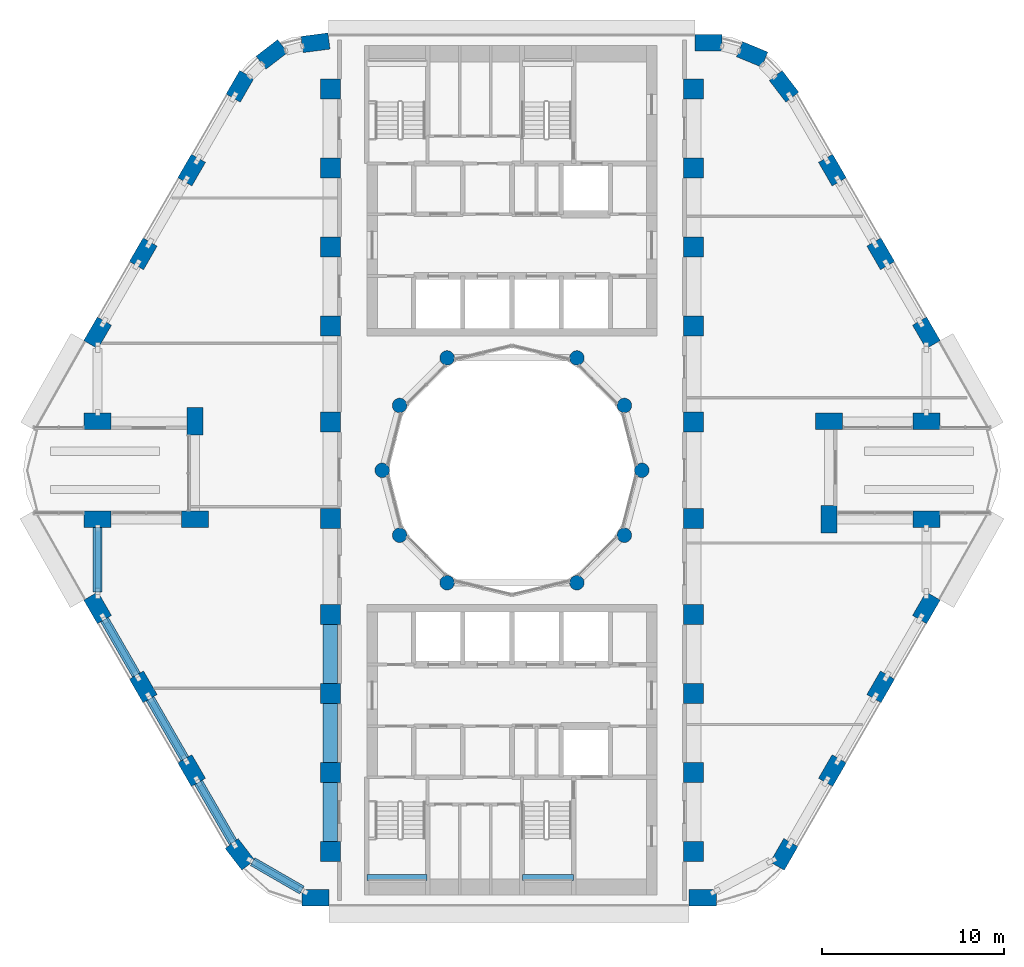
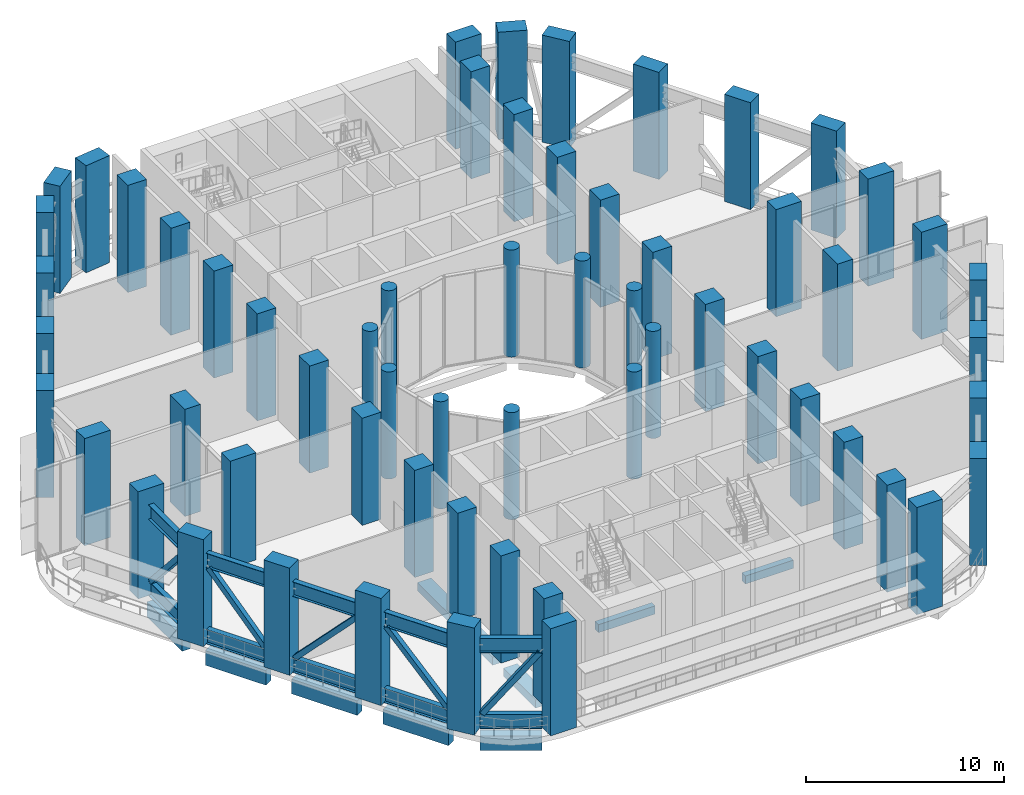
# One storey, part 1 of 20: 60 columns, 15 members, 10 beams.
"""IFC4 building model written with IfcOpenShell, lengths in metres."""

from ifc_helpers import new_model, si_unit, direction, frame, origin, origin_2d, place, context, subcontext, project, spatial, rectangle, hollow_rectangle, circle, i_section, extrude, material, material_profile, profile_set, type_object, element, save


model = new_model("IFC4")

# Units and contexts
model_context = context("Model", 3, precision=1e-05, world=origin(), true_north=direction((0.0, 1.0)))
body_context = subcontext(model_context, "Body", "Model", "MODEL_VIEW")
ifc_project = project(units=[si_unit("LENGTHUNIT", "METRE"), si_unit("AREAUNIT", "SQUARE_METRE"), si_unit("VOLUMEUNIT", "CUBIC_METRE"), si_unit("PLANEANGLEUNIT", "RADIAN"), si_unit("MASSUNIT", "GRAM", prefix="KILO")], contexts=[model_context])

# Site, building, storey
site_placement = place(None, origin())
site = spatial("IfcSite", under=ifc_project, at=site_placement, CompositionType="ELEMENT")
building_placement = place(site_placement, origin())
building = spatial("IfcBuilding", under=site, at=building_placement, Name="Nakaniwa Court", CompositionType="ELEMENT")
storey_placement = place(building_placement, frame((0.0, 0.0, 71.10009765625)))
storey = spatial("IfcBuildingStorey", under=building, at=storey_placement, Name="S1", CompositionType="ELEMENT", Elevation=71.10009765625)

# Columns
ifc_material_1 = material(Name="Concrete C80/100", Category="concrete")
ifc_material_profile_1 = material_profile(ifc_material_1, rectangle(XDim=1.10009765625, YDim=1.10009765625, at=origin_2d()), Name="Concrete C80/100 RC 1100x1100 spine column")
ifc_profile_set_1 = profile_set([ifc_material_profile_1], Name="Concrete C80/100")
column_type_1 = type_object("IfcColumnType", Name="Concrete C80/100 RC 1100x1100 spine column", PredefinedType="COLUMN", material=ifc_profile_set_1)
for number, where, z_axis, x_axis, name in (
    (1, (90.0, 59.0, 0.0), (0.0, 0.0, 1.0), (0.0, 1.0, 0.0), "COLUMN CS-01"),
    (2, (90.0, 63.35009765625, 0.0), (0.0, 0.0, 1.0), (0.0, 1.0, 0.0), "COLUMN CS-02"),
    (3, (90.0, 67.699951171875, 0.0), (0.0, 0.0, 1.0), (0.0, 1.0, 0.0), "COLUMN CS-03"),
    (4, (90.0, 72.050048828125, 0.0), (0.0, 0.0, 1.0), (0.0, 1.0, 0.0), "COLUMN CS-04"),
    (5, (90.0, 77.35009765625, 0.0), (0.0, 0.0, 1.0), (0.0, 1.0, 0.0), "COLUMN CS-05"),
    (6, (90.0, 82.64990234375, 0.0), (0.0, 0.0, 1.0), (0.0, 1.0, 0.0), "COLUMN CS-06"),
    (7, (90.0, 87.949951171875, 0.0), (0.0, 0.0, 1.0), (0.0, 1.0, 0.0), "COLUMN CS-07"),
    (8, (90.0, 92.300048828125, 0.0), (0.0, 0.0, 1.0), (0.0, 1.0, 0.0), "COLUMN CS-08"),
    (9, (90.0, 96.64990234375, 0.0), (0.0, 0.0, 1.0), (0.0, 1.0, 0.0), "COLUMN CS-09"),
    (10, (90.0, 101.0, 0.0), (0.0, 0.0, 1.0), (0.0, 1.0, 0.0), "COLUMN CS-10"),
    (11, (70.0, 101.0, 0.0), (0.0, 0.0, 1.0), (0.0, -1.0, 0.0), "COLUMN CS-11"),
    (12, (70.0, 96.64990234375, 0.0), (0.0, 0.0, 1.0), (0.0, -1.0, 0.0), "COLUMN CS-12"),
    (13, (70.0, 92.300048828125, 0.0), (0.0, 0.0, 1.0), (0.0, -1.0, 0.0), "COLUMN CS-13"),
    (14, (70.0, 87.949951171875, 0.0), (0.0, 0.0, 1.0), (0.0, -1.0, 0.0), "COLUMN CS-14"),
    (15, (70.0, 82.64990234375, 0.0), (0.0, 0.0, 1.0), (0.0, -1.0, 0.0), "COLUMN CS-15"),
    (16, (70.0, 77.35009765625, 0.0), (0.0, 0.0, 1.0), (0.0, -1.0, 0.0), "COLUMN CS-16"),
    (17, (70.0, 72.050048828125, 0.0), (0.0, 0.0, 1.0), (0.0, -1.0, 0.0), "COLUMN CS-17"),
    (18, (70.0, 67.699951171875, 0.0), (0.0, 0.0, 1.0), (0.0, -1.0, 0.0), "COLUMN CS-18"),
    (19, (70.0, 63.35009765625, 0.0), (0.0, 0.0, 1.0), (0.0, -1.0, 0.0), "COLUMN CS-19"),
    (20, (70.0, 59.0, 0.0), (0.0, 0.0, 1.0), (0.0, -1.0, 0.0), "COLUMN CS-20"),
):
    element("IfcColumn", number, at=place(storey_placement, frame(where, z_axis=z_axis, x_axis=x_axis)), inside=storey, type_object=column_type_1, Name=name, PredefinedType="COLUMN", context=body_context, shape_type="SweptSolid", body=[
        extrude(rectangle(XDim=1.10009765625, YDim=1.10009765625, at=origin_2d()), origin(), (0.0, 0.0, 1.0), 6.599853515625),
    ])
ifc_material_profile_2 = material_profile(ifc_material_1, rectangle(XDim=1.5, YDim=0.89990234375, at=origin_2d()), Name="Concrete C80/100 RC 1500x900 perimeter column")
ifc_profile_set_2 = profile_set([ifc_material_profile_2], Name="Concrete C80/100")
column_type_2 = type_object("IfcColumnType", Name="Concrete C80/100 RC 1500x900 perimeter column", PredefinedType="COLUMN", material=ifc_profile_set_2)
for number, where, z_axis, x_axis, name in (
    (21, (69.17529296875, 103.550048828125, 0.0), (0.0, 0.0, 1.0), (-0.991442583111, -0.130543496177, 0.0), "COLUMN CO-01"),
    (22, (66.772705078125, 102.91015625, 0.0), (0.0, 0.0, 1.0), (-0.793363965062, -0.608747582288, 0.0), "COLUMN CO-02"),
    (23, (65.017578125, 101.1494140625, 0.0), (0.0, 0.0, 1.0), (-0.5, -0.866025403784, 0.0), "COLUMN CO-03"),
    (24, (62.3544921875, 96.537109375, 0.0), (0.0, 0.0, 1.0), (-0.5, -0.866025403784, 0.0), "COLUMN CO-04"),
    (25, (59.691650390625, 91.9248046875, 0.0), (0.0, 0.0, 1.0), (-0.5, -0.866025403784, 0.0), "COLUMN CO-05"),
    (26, (57.177001953125, 87.569580078125, 0.0), (0.0, 0.0, 1.0), (-0.5, -0.866025403784, 0.0), "COLUMN CO-06"),
    (27, (57.177001953125, 82.699951171875, 0.0), (0.0, 0.0, 1.0), (1.0, 0.0, 0.0), "COLUMN CO-08"),
    (28, (62.54150390625, 82.699951171875, 0.0), (0.0, 0.0, 1.0), (0.0, -1.0, 0.0), "COLUMN CO-09"),
    (29, (62.54150390625, 77.300048828125, 0.0), (0.0, 0.0, 1.0), (-1.0, 0.0, 0.0), "COLUMN CO-10"),
    (30, (57.177001953125, 77.300048828125, 0.0), (0.0, 0.0, 1.0), (-1.0, 0.0, 0.0), "COLUMN CO-11"),
    (31, (57.177001953125, 72.430419921875, 0.0), (0.0, 0.0, 1.0), (0.5, -0.866025403784, 0.0), "COLUMN CO-13"),
    (32, (59.691650390625, 68.0751953125, 0.0), (0.0, 0.0, 1.0), (0.5, -0.866025403784, 0.0), "COLUMN CO-14"),
    (33, (62.3544921875, 63.462890625, 0.0), (0.0, 0.0, 1.0), (0.5, -0.866025403784, 0.0), "COLUMN CO-15"),
    (34, (65.017578125, 58.8505859375, 0.0), (0.0, 0.0, 1.0), (0.608761429009, -0.793353340291, 0.0), "COLUMN CO-16"),
    (35, (69.17529296875, 56.449951171875, 0.0), (0.0, 0.0, 1.0), (1.0, 0.0, 0.0), "COLUMN CO-17"),
    (36, (90.507080078125, 56.449951171875, 0.0), (0.0, 0.0, 1.0), (1.0, 0.0, 0.0), "COLUMN CO-21"),
    (37, (94.982421875, 58.8505859375, 0.0), (0.0, 0.0, 1.0), (0.5, 0.866025403784, 0.0), "COLUMN CO-22"),
    (38, (97.6455078125, 63.462890625, 0.0), (0.0, 0.0, 1.0), (0.5, 0.866025403784, 0.0), "COLUMN CO-23"),
    (39, (100.308349609375, 68.0751953125, 0.0), (0.0, 0.0, 1.0), (0.5, 0.866025403784, 0.0), "COLUMN CO-24"),
    (40, (102.822998046875, 72.430419921875, 0.0), (0.0, 0.0, 1.0), (0.5, 0.866025403784, 0.0), "COLUMN CO-25"),
    (41, (102.822998046875, 77.300048828125, 0.0), (0.0, 0.0, 1.0), (-1.0, 0.0, 0.0), "COLUMN CO-27"),
    (42, (97.45849609375, 77.300048828125, 0.0), (0.0, 0.0, 1.0), (0.0, 1.0, 0.0), "COLUMN CO-28"),
    (43, (97.45849609375, 82.699951171875, 0.0), (0.0, 0.0, 1.0), (1.0, 0.0, 0.0), "COLUMN CO-29"),
    (44, (102.822998046875, 82.699951171875, 0.0), (0.0, 0.0, 1.0), (1.0, 0.0, 0.0), "COLUMN CO-30"),
    (45, (102.822998046875, 87.569580078125, 0.0), (0.0, 0.0, 1.0), (-0.5, 0.866025403784, 0.0), "COLUMN CO-32"),
    (46, (100.308349609375, 91.9248046875, 0.0), (0.0, 0.0, 1.0), (-0.5, 0.866025403784, 0.0), "COLUMN CO-33"),
    (47, (97.6455078125, 96.537109375, 0.0), (0.0, 0.0, 1.0), (-0.5, 0.866025403784, 0.0), "COLUMN CO-34"),
    (48, (94.982421875, 101.1494140625, 0.0), (0.0, 0.0, 1.0), (-0.608761429009, 0.793353340291, 0.0), "COLUMN CO-35"),
    (49, (93.227294921875, 102.91015625, 0.0), (0.0, 0.0, 1.0), (-0.923879532511, 0.382683432365, 0.0), "COLUMN CO-36"),
    (50, (90.82470703125, 103.550048828125, 0.0), (0.0, 0.0, 1.0), (-1.0, 0.0, 0.0), "COLUMN CO-37"),
):
    element("IfcColumn", number, at=place(storey_placement, frame(where, z_axis=z_axis, x_axis=x_axis)), inside=storey, type_object=column_type_2, Name=name, PredefinedType="COLUMN", context=body_context, shape_type="SweptSolid", body=[
        extrude(rectangle(XDim=1.5, YDim=0.89990234375, at=origin_2d()), origin(), (0.0, 0.0, 1.0), 6.599853515625),
    ])
ifc_material_profile_3 = material_profile(ifc_material_1, circle(Radius=0.39990234375, at=origin_2d()), Name="Concrete C80/100 RC D800 inner ring column")
ifc_profile_set_3 = profile_set([ifc_material_profile_3], Name="Concrete C80/100")
column_type_3 = type_object("IfcColumnType", Name="Concrete C80/100 RC D800 inner ring column", PredefinedType="COLUMN", material=ifc_profile_set_3)
for number, where, z_axis, x_axis, name in (
    (51, (87.14990234375, 80.0, 0.0), (0.0, 0.0, 1.0), (0.0, 1.0, 0.0), "COLUMN CI-01"),
    (52, (86.192138671875, 83.574951171875, 0.0), (0.0, 0.0, 1.0), (-0.5, 0.866025403784, 0.0), "COLUMN CI-02"),
    (53, (83.574951171875, 86.192138671875, 0.0), (0.0, 0.0, 1.0), (-0.866025403784, 0.5, 0.0), "COLUMN CI-03"),
    (54, (76.425048828125, 86.192138671875, 0.0), (0.0, 0.0, 1.0), (-0.866025403784, -0.5, 0.0), "COLUMN CI-05"),
    (55, (73.807861328125, 83.574951171875, 0.0), (0.0, 0.0, 1.0), (-0.5, -0.866025403784, 0.0), "COLUMN CI-06"),
    (56, (72.85009765625, 80.0, 0.0), (0.0, 0.0, 1.0), (0.0, -1.0, 0.0), "COLUMN CI-07"),
    (57, (73.807861328125, 76.425048828125, 0.0), (0.0, 0.0, 1.0), (0.5, -0.866025403784, 0.0), "COLUMN CI-08"),
    (58, (76.425048828125, 73.807861328125, 0.0), (0.0, 0.0, 1.0), (0.866025403784, -0.5, 0.0), "COLUMN CI-09"),
    (59, (83.574951171875, 73.807861328125, 0.0), (0.0, 0.0, 1.0), (0.866025403784, 0.5, 0.0), "COLUMN CI-11"),
    (60, (86.192138671875, 76.425048828125, 0.0), (0.0, 0.0, 1.0), (0.5, 0.866025403784, 0.0), "COLUMN CI-12"),
):
    element("IfcColumn", number, at=place(storey_placement, frame(where, z_axis=z_axis, x_axis=x_axis)), inside=storey, type_object=column_type_3, Name=name, PredefinedType="COLUMN", context=body_context, shape_type="SweptSolid", body=[
        extrude(circle(Radius=0.39990234375, at=origin_2d()), origin(), (0.0, 0.0, 1.0), 6.599853515625),
    ])

# Members
ifc_material_2 = material(Name="Steel Grade 350", Category="steel")
ifc_material_profile_4 = material_profile(ifc_material_2, i_section(OverallWidth=0.300048828125, OverallDepth=0.89990234375, WebThickness=0.011962890625, FlangeThickness=0.02001953125, at=origin_2d()), Name="900WB175")
ifc_profile_set_4 = profile_set([ifc_material_profile_4], Name="Steel Grade 350")
member_type_1 = type_object("IfcMemberType", Name="BELT chord 900 WB175", PredefinedType="CHORD", material=ifc_profile_set_4)
for number, where, z_axis, x_axis, name in (
    (61, (57.177001953125, 76.85009765625, 0.449951171875), (0.0, -1.0, 0.0), (1.0, 0.0, 0.0), "BELT CHORD BT-07-B"),
    (62, (57.177001953125, 76.85009765625, 5.139892578125), (0.0, -1.0, 0.0), (1.0, 0.0, 0.0), "BELT CHORD BT-07-T"),
):
    element("IfcMember", number, at=place(storey_placement, frame(where, z_axis=z_axis, x_axis=x_axis)), inside=storey, type_object=member_type_1, Name=name, PredefinedType="CHORD", context=body_context, shape_type="SweptSolid", body=[
        extrude(i_section(OverallWidth=0.300048828125, OverallDepth=0.89990234375, WebThickness=0.011962890625, FlangeThickness=0.02001953125, at=origin_2d()), origin(), (0.0, 0.0, 1.0), 3.5537109375),
    ])
for number, where, z_axis, x_axis, name in (
    (63, (57.552001953125, 71.78076171875, 0.449951171875), (0.500067800301, -0.865986255723, 0.0), (0.865986255723, 0.500067800301, 0.0), "BELT CHORD BT-08-B"),
    (64, (57.552001953125, 71.78076171875, 5.139892578125), (0.500067800301, -0.865986255723, 0.0), (0.865986255723, 0.500067800301, 0.0), "BELT CHORD BT-08-T"),
):
    element("IfcMember", number, at=place(storey_placement, frame(where, z_axis=z_axis, x_axis=x_axis)), inside=storey, type_object=member_type_1, Name=name, PredefinedType="CHORD", context=body_context, shape_type="SweptSolid", body=[
        extrude(i_section(OverallWidth=0.300048828125, OverallDepth=0.89990234375, WebThickness=0.011962890625, FlangeThickness=0.02001953125, at=origin_2d()), origin(), (0.0, 0.0, 1.0), 3.52880859375),
    ])
for number, where, z_axis, x_axis, name in (
    (65, (60.066650390625, 67.42578125, 0.449951171875), (0.499961815444, -0.866047448526, 0.0), (0.866047448526, 0.499961815444, 0.0), "BELT CHORD BT-09-B"),
    (66, (60.066650390625, 67.42578125, 5.139892578125), (0.499961815444, -0.866047448526, 0.0), (0.866047448526, 0.499961815444, 0.0), "BELT CHORD BT-09-T"),
):
    element("IfcMember", number, at=place(storey_placement, frame(where, z_axis=z_axis, x_axis=x_axis)), inside=storey, type_object=member_type_1, Name=name, PredefinedType="CHORD", context=body_context, shape_type="SweptSolid", body=[
        extrude(i_section(OverallWidth=0.300048828125, OverallDepth=0.89990234375, WebThickness=0.011962890625, FlangeThickness=0.02001953125, at=origin_2d()), origin(), (0.0, 0.0, 1.0), 3.825927734375),
    ])
for number, where, z_axis, x_axis, name in (
    (67, (62.7294921875, 62.8134765625, 0.449951171875), (0.500023067617, -0.86601208528, 0.0), (0.86601208528, 0.500023067617, 0.0), "BELT CHORD BT-10-B"),
    (68, (62.7294921875, 62.8134765625, 5.139892578125), (0.500023067617, -0.86601208528, 0.0), (0.86601208528, 0.500023067617, 0.0), "BELT CHORD BT-10-T"),
):
    element("IfcMember", number, at=place(storey_placement, frame(where, z_axis=z_axis, x_axis=x_axis)), inside=storey, type_object=member_type_1, Name=name, PredefinedType="CHORD", context=body_context, shape_type="SweptSolid", body=[
        extrude(i_section(OverallWidth=0.300048828125, OverallDepth=0.89990234375, WebThickness=0.011962890625, FlangeThickness=0.02001953125, at=origin_2d()), origin(), (0.0, 0.0, 1.0), 3.819580078125),
    ])
for number, where, z_axis, x_axis, name in (
    (69, (65.720458984375, 58.444580078125, 0.449951171875), (0.866041096587, -0.499972818284, 0.0), (0.499972818284, 0.866041096587, 0.0), "BELT CHORD BT-11-B"),
    (70, (65.720458984375, 58.444580078125, 5.139892578125), (0.866041096587, -0.499972818284, 0.0), (0.499972818284, 0.866041096587, 0.0), "BELT CHORD BT-11-T"),
):
    element("IfcMember", number, at=place(storey_placement, frame(where, z_axis=z_axis, x_axis=x_axis)), inside=storey, type_object=member_type_1, Name=name, PredefinedType="CHORD", context=body_context, shape_type="SweptSolid", body=[
        extrude(i_section(OverallWidth=0.300048828125, OverallDepth=0.89990234375, WebThickness=0.011962890625, FlangeThickness=0.02001953125, at=origin_2d()), origin(), (0.0, 0.0, 1.0), 3.123291015625),
    ])
ifc_material_profile_5 = material_profile(ifc_material_2, hollow_rectangle(XDim=0.300048828125, YDim=0.300048828125, WallThickness=0.012451171875, at=origin_2d()), Name="BELT diagonal 300x300x12.5 SHS")
ifc_profile_set_5 = profile_set([ifc_material_profile_5], Name="Steel Grade 350")
member_type_2 = type_object("IfcMemberType", Name="BELT diagonal 300x300x12.5 SHS", PredefinedType="BRACE", material=ifc_profile_set_5)
member_1_placement = place(storey_placement, frame((57.177001953125, 76.75, 0.89990234375), z_axis=(0.0, -0.662688372076, 0.748895267388), x_axis=(1.0, 0.0, 0.0)))
element("IfcMember", 71, at=member_1_placement, inside=storey, type_object=member_type_2, Name="BELT DIAGONAL BT-07-D", PredefinedType="BRACE", context=body_context, shape_type="SweptSolid", body=[
    extrude(hollow_rectangle(XDim=0.300048828125, YDim=0.300048828125, WallThickness=0.012451171875, at=origin_2d()), origin(), (0.0, 0.0, 1.0), 5.060791015625),
])
member_2_placement = place(storey_placement, frame((57.60205078125, 71.694091796875, 4.68994140625), z_axis=(0.329981477951, -0.571490362518, -0.75133946373), x_axis=(0.866004823592, 0.500035644245, 0.0)))
element("IfcMember", 72, at=member_2_placement, inside=storey, type_object=member_type_2, Name="BELT DIAGONAL BT-08-D", PredefinedType="BRACE", context=body_context, shape_type="SweptSolid", body=[
    extrude(hollow_rectangle(XDim=0.300048828125, YDim=0.300048828125, WallThickness=0.012451171875, at=origin_2d()), origin(), (0.0, 0.0, 1.0), 5.04443359375),
])
member_3_placement = place(storey_placement, frame((60.11669921875, 67.339111328125, 0.89990234375), z_axis=(0.34560828286, -0.598681984396, 0.722588953955), x_axis=(0.866051035956, 0.499955601149, 0.0)))
element("IfcMember", 73, at=member_3_placement, inside=storey, type_object=member_type_2, Name="BELT DIAGONAL BT-09-D", PredefinedType="BRACE", context=body_context, shape_type="SweptSolid", body=[
    extrude(hollow_rectangle(XDim=0.300048828125, YDim=0.300048828125, WallThickness=0.012451171875, at=origin_2d()), origin(), (0.0, 0.0, 1.0), 5.2451171875),
])
member_4_placement = place(storey_placement, frame((62.779541015625, 62.726806640625, 4.68994140625), z_axis=(0.345337594876, -0.598109993339, -0.723191801276), x_axis=(0.866013723652, 0.500020230036, 0.0)))
element("IfcMember", 74, at=member_4_placement, inside=storey, type_object=member_type_2, Name="BELT DIAGONAL BT-10-D", PredefinedType="BRACE", context=body_context, shape_type="SweptSolid", body=[
    extrude(hollow_rectangle(XDim=0.300048828125, YDim=0.300048828125, WallThickness=0.012451171875, at=origin_2d()), origin(), (0.0, 0.0, 1.0), 5.24072265625),
])
member_5_placement = place(storey_placement, frame((65.80712890625, 58.39453125, 0.89990234375), z_axis=(0.528904697772, -0.305335473128, 0.791852302847), x_axis=(0.499965863459, 0.866045111628, 0.0)))
element("IfcMember", 75, at=member_5_placement, inside=storey, type_object=member_type_2, Name="BELT DIAGONAL BT-11-D", PredefinedType="BRACE", context=body_context, shape_type="SweptSolid", body=[
    extrude(hollow_rectangle(XDim=0.300048828125, YDim=0.300048828125, WallThickness=0.012451171875, at=origin_2d()), origin(), (0.0, 0.0, 1.0), 4.786376953125),
])

# Beams
ifc_material_profile_6 = material_profile(ifc_material_1, rectangle(XDim=0.35009765625, YDim=0.5, at=origin_2d()), Name="Concrete C80/100 RC 350x500 landing ledge beam")
ifc_profile_set_6 = profile_set([ifc_material_profile_6], Name="Concrete C80/100")
beam_type_1 = type_object("IfcBeamType", Name="Concrete C80/100 RC 350x500 landing ledge beam", PredefinedType="BEAM", material=ifc_profile_set_6)
beam_1_placement = place(storey_placement, frame((72.02490234375, 57.574951171875, 4.5), z_axis=(1.0, 0.0, 0.0), x_axis=(0.0, 1.0, 0.0)))
element("IfcBeam", 76, at=beam_1_placement, inside=storey, type_object=beam_type_1, Name="LANDING LEDGE BEAM", PredefinedType="BEAM", context=body_context, shape_type="SweptSolid", body=[
    extrude(rectangle(XDim=0.35009765625, YDim=0.5, at=origin_2d()), origin(), (0.0, 0.0, 1.0), 3.300048828125),
])
beam_2_placement = place(storey_placement, frame((80.574951171875, 57.574951171875, 4.5), z_axis=(1.0, 0.0, 0.0), x_axis=(0.0, 1.0, 0.0)))
element("IfcBeam", 77, at=beam_2_placement, inside=storey, type_object=beam_type_1, Name="LANDING LEDGE BEAM", PredefinedType="BEAM", context=body_context, shape_type="SweptSolid", body=[
    extrude(rectangle(XDim=0.35009765625, YDim=0.5, at=origin_2d()), origin(), (0.0, 0.0, 1.0), 2.800048828125),
])
ifc_material_profile_7 = material_profile(ifc_material_1, rectangle(XDim=0.5, YDim=0.89990234375, at=origin_2d()), Name="Concrete C80/100 RC 500x900 spandrel beam")
ifc_profile_set_7 = profile_set([ifc_material_profile_7], Name="Concrete C80/100")
beam_type_2 = type_object("IfcBeamType", Name="Concrete C80/100 RC 500x900 spandrel beam", PredefinedType="BEAM", material=ifc_profile_set_7)
beam_3_placement = place(storey_placement, frame((57.177001953125, 76.85009765625, -0.800048828125), z_axis=(0.0, -1.0, 0.0), x_axis=(1.0, 0.0, 0.0)))
element("IfcBeam", 78, at=beam_3_placement, inside=storey, type_object=beam_type_2, Name="SPANDREL BEAM", PredefinedType="BEAM", context=body_context, shape_type="SweptSolid", body=[
    extrude(rectangle(XDim=0.5, YDim=0.89990234375, at=origin_2d()), origin(), (0.0, 0.0, 1.0), 3.5537109375),
])
beam_4_placement = place(storey_placement, frame((57.552001953125, 71.78076171875, -0.800048828125), z_axis=(0.500067800301, -0.865986255723, 0.0), x_axis=(0.865986255723, 0.500067800301, 0.0)))
element("IfcBeam", 79, at=beam_4_placement, inside=storey, type_object=beam_type_2, Name="SPANDREL BEAM", PredefinedType="BEAM", context=body_context, shape_type="SweptSolid", body=[
    extrude(rectangle(XDim=0.5, YDim=0.89990234375, at=origin_2d()), origin(), (0.0, 0.0, 1.0), 3.52880859375),
])
beam_5_placement = place(storey_placement, frame((60.066650390625, 67.42578125, -0.800048828125), z_axis=(0.499961815444, -0.866047448526, 0.0), x_axis=(0.866047448526, 0.499961815444, 0.0)))
element("IfcBeam", 80, at=beam_5_placement, inside=storey, type_object=beam_type_2, Name="SPANDREL BEAM", PredefinedType="BEAM", context=body_context, shape_type="SweptSolid", body=[
    extrude(rectangle(XDim=0.5, YDim=0.89990234375, at=origin_2d()), origin(), (0.0, 0.0, 1.0), 3.825927734375),
])
beam_6_placement = place(storey_placement, frame((62.7294921875, 62.8134765625, -0.800048828125), z_axis=(0.500023067617, -0.86601208528, 0.0), x_axis=(0.86601208528, 0.500023067617, 0.0)))
element("IfcBeam", 81, at=beam_6_placement, inside=storey, type_object=beam_type_2, Name="SPANDREL BEAM", PredefinedType="BEAM", context=body_context, shape_type="SweptSolid", body=[
    extrude(rectangle(XDim=0.5, YDim=0.89990234375, at=origin_2d()), origin(), (0.0, 0.0, 1.0), 3.819580078125),
])
beam_7_placement = place(storey_placement, frame((65.720458984375, 58.444580078125, -0.800048828125), z_axis=(0.866041096587, -0.499972818284, 0.0), x_axis=(0.499972818284, 0.866041096587, 0.0)))
element("IfcBeam", 82, at=beam_7_placement, inside=storey, type_object=beam_type_2, Name="SPANDREL BEAM", PredefinedType="BEAM", context=body_context, shape_type="SweptSolid", body=[
    extrude(rectangle(XDim=0.5, YDim=0.89990234375, at=origin_2d()), origin(), (0.0, 0.0, 1.0), 3.123291015625),
])
ifc_material_profile_8 = material_profile(ifc_material_1, rectangle(XDim=0.800048828125, YDim=0.5, at=origin_2d()), Name="Concrete C80/100 RC 800x500 ring beam")
ifc_profile_set_8 = profile_set([ifc_material_profile_8], Name="Concrete C80/100")
beam_type_3 = type_object("IfcBeamType", Name="Concrete C80/100 RC 800x500 ring beam", PredefinedType="BEAM", material=ifc_profile_set_8)
for number, where, z_axis, x_axis, name in (
    (83, (70.0, 71.5, -0.60009765625), (0.0, -1.0, 0.0), (1.0, 0.0, 0.0), "RING BEAM"),
    (84, (70.0, 67.14990234375, -0.60009765625), (0.0, -1.0, 0.0), (1.0, 0.0, 0.0), "RING BEAM"),
    (85, (70.0, 62.800048828125, -0.60009765625), (0.0, -1.0, 0.0), (1.0, 0.0, 0.0), "RING BEAM"),
):
    element("IfcBeam", number, at=place(storey_placement, frame(where, z_axis=z_axis, x_axis=x_axis)), inside=storey, type_object=beam_type_3, Name=name, PredefinedType="BEAM", context=body_context, shape_type="SweptSolid", body=[
        extrude(rectangle(XDim=0.800048828125, YDim=0.5, at=origin_2d()), origin(), (0.0, 0.0, 1.0), 3.25),
    ])

save(model, "model.ifc")
